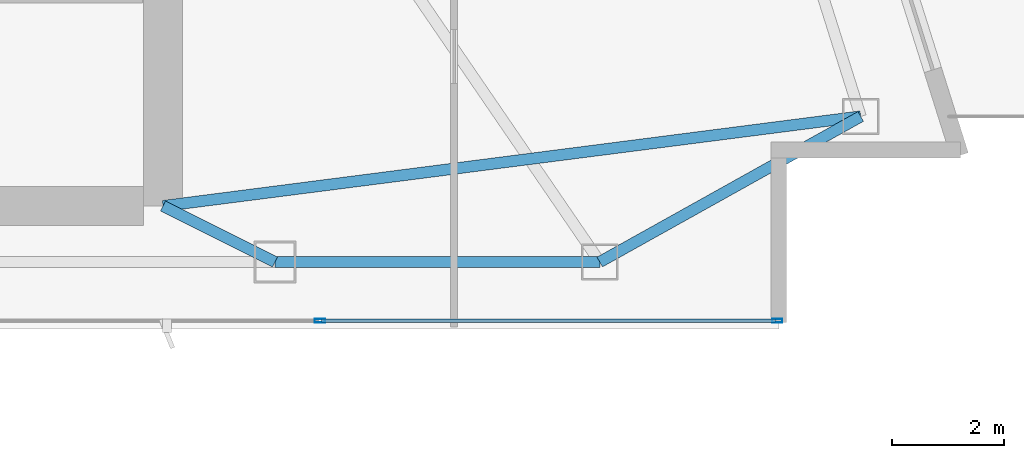
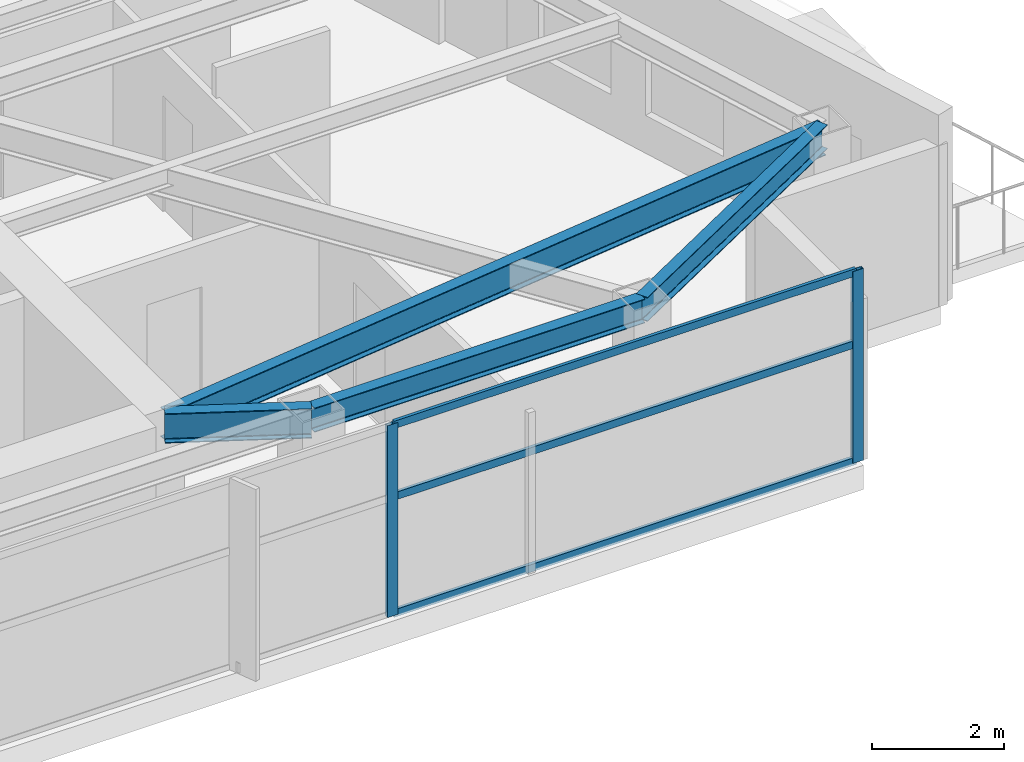
# One storey, part 13 of 28: 5 members, 4 beams, 1 element without a shape of its own.
"""IFC4 building model written with IfcOpenShell, lengths in metres."""

from ifc_helpers import new_model, si_unit, direction, frame, origin, origin_2d, place, context, subcontext, project, spatial, hollow_rectangle, i_section, extrude, material, layer, layer_set, material_profile, profile_set, type_object, element, aggregate, save


model = new_model("IFC4")

# Units and contexts
model_context = context("Model", 3, precision=1e-05, world=origin(), true_north=direction((0.0, 1.0)))
body_context = subcontext(model_context, "Body", "Model", "MODEL_VIEW")
ifc_project = project(units=[si_unit("LENGTHUNIT", "METRE"), si_unit("AREAUNIT", "SQUARE_METRE"), si_unit("VOLUMEUNIT", "CUBIC_METRE"), si_unit("PLANEANGLEUNIT", "RADIAN"), si_unit("MASSUNIT", "GRAM", prefix="KILO")], contexts=[model_context])

# Site, building, storey
site_placement = place(None, origin())
site = spatial("IfcSite", under=ifc_project, at=site_placement, CompositionType="ELEMENT")
building_placement = place(site_placement, origin())
building = spatial("IfcBuilding", under=site, at=building_placement, Name="Calvorn Quay Hotel", CompositionType="ELEMENT")
storey_placement = place(building_placement, frame((0.0, 0.0, 243.800048828125)))
storey = spatial("IfcBuildingStorey", under=building, at=storey_placement, Name="L60", CompositionType="ELEMENT", Elevation=243.800048828125)

# Beams
ifc_material_1 = material(Name="Steel Q355B", Category="steel")
ifc_material_profile_1 = material_profile(ifc_material_1, i_section(OverallWidth=0.199951171875, OverallDepth=0.550048828125, WebThickness=0.010009765625, FlangeThickness=0.01611328125, FilletRadius=0.01806640625, at=origin_2d()), Name="HN550x200x10x16")
ifc_profile_set_1 = profile_set([ifc_material_profile_1], Name="Steel Q355B")
beam_type_1 = type_object("IfcBeamType", Name="BM-GIRD-UPP", PredefinedType="BEAM", material=ifc_profile_set_1)
beam_1_placement = place(storey_placement, frame((34.39990234375, 3.60009765625, 3.264892578125), z_axis=(-0.894427191, 0.4472135955, 0.0), x_axis=(-0.4472135955, -0.894427191, 0.0)))
element("IfcBeam", 1, at=beam_1_placement, inside=storey, type_object=beam_type_1, Name="Beam BG-L60-S3", PredefinedType="BEAM", context=body_context, shape_type="SweptSolid", body=[
    extrude(i_section(OverallWidth=0.199951171875, OverallDepth=0.550048828125, WebThickness=0.010009765625, FlangeThickness=0.01611328125, FilletRadius=0.01806640625, at=origin_2d()), origin(), (0.0, 0.0, 1.0), 2.236083984375),
])
beam_2_placement = place(storey_placement, frame((32.39990234375, 4.60009765625, 3.264892578125), z_axis=(0.991858897847, 0.12734177147, 0.0), x_axis=(-0.12734177147, 0.991858897847, 0.0)))
element("IfcBeam", 2, at=beam_2_placement, inside=storey, type_object=beam_type_1, Name="Beam BG-L60-E1", PredefinedType="BEAM", context=body_context, shape_type="SweptSolid", body=[
    extrude(i_section(OverallWidth=0.199951171875, OverallDepth=0.550048828125, WebThickness=0.010009765625, FlangeThickness=0.01611328125, FilletRadius=0.01806640625, at=origin_2d()), origin(), (0.0, 0.0, 1.0), 12.5634765625),
])
ifc_material_2 = material(Name="Steel Q355B", Category="steel")
ifc_material_profile_2 = material_profile(ifc_material_2, i_section(OverallWidth=0.199951171875, OverallDepth=0.449951171875, WebThickness=0.009033203125, FlangeThickness=0.013916015625, FilletRadius=0.01611328125, at=origin_2d()), Name="HN450x200x9x14")
ifc_profile_set_2 = profile_set([ifc_material_profile_2], Name="Steel Q355B")
beam_type_2 = type_object("IfcBeamType", Name="BM-SPANDREL-Z3", PredefinedType="SPANDREL", material=ifc_profile_set_2)
beam_3_placement = place(storey_placement, frame((34.39990234375, 3.60009765625, 3.31494140625), z_axis=(1.0, 0.0, 0.0), x_axis=(0.0, 1.0, 0.0)))
element("IfcBeam", 3, at=beam_3_placement, inside=storey, type_object=beam_type_2, Name="Beam BSP-L60-S4", PredefinedType="SPANDREL", context=body_context, shape_type="SweptSolid", body=[
    extrude(i_section(OverallWidth=0.199951171875, OverallDepth=0.449951171875, WebThickness=0.009033203125, FlangeThickness=0.013916015625, FilletRadius=0.01611328125, at=origin_2d()), origin(), (0.0, 0.0, 1.0), 5.800048828125),
])
beam_4_placement = place(storey_placement, frame((40.199951171875, 3.60009765625, 3.31494140625), z_axis=(0.873333936204, 0.487121992805, 0.0), x_axis=(-0.487121992805, 0.873333936204, 0.0)))
element("IfcBeam", 4, at=beam_4_placement, inside=storey, type_object=beam_type_2, Name="Beam BSP-L60-S5", PredefinedType="SPANDREL", context=body_context, shape_type="SweptSolid", body=[
    extrude(i_section(OverallWidth=0.199951171875, OverallDepth=0.449951171875, WebThickness=0.009033203125, FlangeThickness=0.013916015625, FilletRadius=0.01611328125, at=origin_2d()), origin(), (0.0, 0.0, 1.0), 5.337158203125),
])

# Curtain wall, members
ifc_material_3 = material(Name="Champagne Bronze Anodised Aluminium and Low-E Glass", Category="aluminium")
ifc_layer = layer(ifc_material_3, 0.219970703125)
ifc_layer_set = layer_set([ifc_layer], Name="CW-SYS-Z3")
curtain_wall_type = type_object("IfcCurtainWallType", Name="CW-SYS-Z3", PredefinedType="NOTDEFINED", material=ifc_layer_set)
curtain_wall_placement = place(storey_placement, origin())
curtain_wall = element("IfcCurtainWall", 5, at=curtain_wall_placement, inside=storey, type_object=curtain_wall_type, Name="Tower South Waterfront Curtain Wall (L60)", PredefinedType="NOTDEFINED")
ifc_material_4 = material(Name="Champagne Bronze Anodised Aluminium 6063-T6", Category="aluminium")
ifc_material_profile_3 = material_profile(ifc_material_4, hollow_rectangle(XDim=0.068115234375, YDim=0.18505859375, WallThickness=0.00390625, at=origin_2d()), Name="ALU-M185x68x4")
ifc_profile_set_3 = profile_set([ifc_material_profile_3], Name="Champagne Bronze Anodised Aluminium 6063-T6")
member_type_1 = type_object("IfcMemberType", Name="CW-SYS-Z3-MUL", PredefinedType="MULLION", material=ifc_profile_set_3)
member_1_placement = place(storey_placement, frame((35.199951171875, 2.550048828125, 0.0), z_axis=(0.0, 0.0, 1.0), x_axis=(0.0, 1.0, 0.0)))
member_1 = element("IfcMember", 6, at=member_1_placement, type_object=member_type_1, Name="CW-L60-S mullion 4", PredefinedType="MULLION", context=body_context, shape_type="SweptSolid", body=[
    extrude(hollow_rectangle(XDim=0.068115234375, YDim=0.18505859375, WallThickness=0.00390625, at=origin_2d()), origin(), (0.0, 0.0, 1.0), 3.56005859375),
])
member_2_placement = place(storey_placement, frame((43.3701171875, 2.550048828125, 0.0), z_axis=(0.0, 0.0, 1.0), x_axis=(0.0, 1.0, 0.0)))
member_2 = element("IfcMember", 7, at=member_2_placement, type_object=member_type_1, Name="CW-L60-S mullion 5", PredefinedType="MULLION", context=body_context, shape_type="SweptSolid", body=[
    extrude(hollow_rectangle(XDim=0.068115234375, YDim=0.18505859375, WallThickness=0.00390625, at=origin_2d()), origin(), (0.0, 0.0, 1.0), 3.56005859375),
])
ifc_material_5 = material(Name="Champagne Bronze Anodised Aluminium 6063-T6", Category="aluminium")
ifc_material_profile_4 = material_profile(ifc_material_5, hollow_rectangle(XDim=0.05810546875, YDim=0.139892578125, WallThickness=0.003173828125, at=origin_2d()), Name="ALU-T140x58x3.2")
ifc_profile_set_4 = profile_set([ifc_material_profile_4], Name="Champagne Bronze Anodised Aluminium 6063-T6")
member_type_2 = type_object("IfcMemberType", Name="CW-SYS-Z3-TRN", PredefinedType="USERDEFINED", material=ifc_profile_set_4)
member_3_placement = place(storey_placement, frame((35.22998046875, 2.550048828125, 0.030029296875), z_axis=(1.0, 0.0, 0.0), x_axis=(0.0, 1.0, 0.0)))
member_3 = element("IfcMember", 8, at=member_3_placement, type_object=member_type_2, Name="CW-L60-S transom 4.1", ObjectType="TRANSOM", PredefinedType="USERDEFINED", context=body_context, shape_type="SweptSolid", body=[
    extrude(hollow_rectangle(XDim=0.05810546875, YDim=0.139892578125, WallThickness=0.003173828125, at=origin_2d()), origin(), (0.0, 0.0, 1.0), 8.110107421875),
])
member_4_placement = place(storey_placement, frame((35.22998046875, 2.550048828125, 2.199951171875), z_axis=(1.0, 0.0, 0.0), x_axis=(0.0, 1.0, 0.0)))
member_4 = element("IfcMember", 9, at=member_4_placement, type_object=member_type_2, Name="CW-L60-S transom 4.2", ObjectType="TRANSOM", PredefinedType="USERDEFINED", context=body_context, shape_type="SweptSolid", body=[
    extrude(hollow_rectangle(XDim=0.05810546875, YDim=0.139892578125, WallThickness=0.003173828125, at=origin_2d()), origin(), (0.0, 0.0, 1.0), 8.110107421875),
])
member_5_placement = place(storey_placement, frame((35.22998046875, 2.550048828125, 3.530029296875), z_axis=(1.0, 0.0, 0.0), x_axis=(0.0, 1.0, 0.0)))
member_5 = element("IfcMember", 10, at=member_5_placement, type_object=member_type_2, Name="CW-L60-S transom 4.3", ObjectType="TRANSOM", PredefinedType="USERDEFINED", context=body_context, shape_type="SweptSolid", body=[
    extrude(hollow_rectangle(XDim=0.05810546875, YDim=0.139892578125, WallThickness=0.003173828125, at=origin_2d()), origin(), (0.0, 0.0, 1.0), 8.110107421875),
])
aggregate(curtain_wall, [member_1, member_2, member_3, member_4, member_5])

save(model, "model.ifc")
